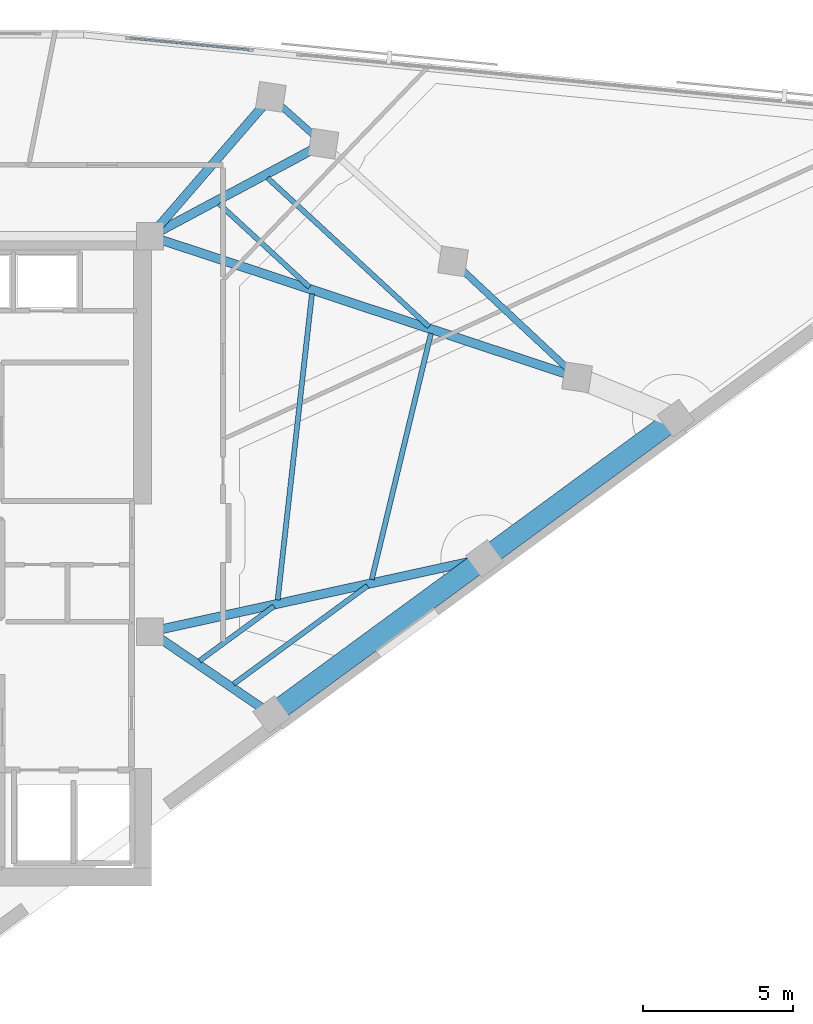
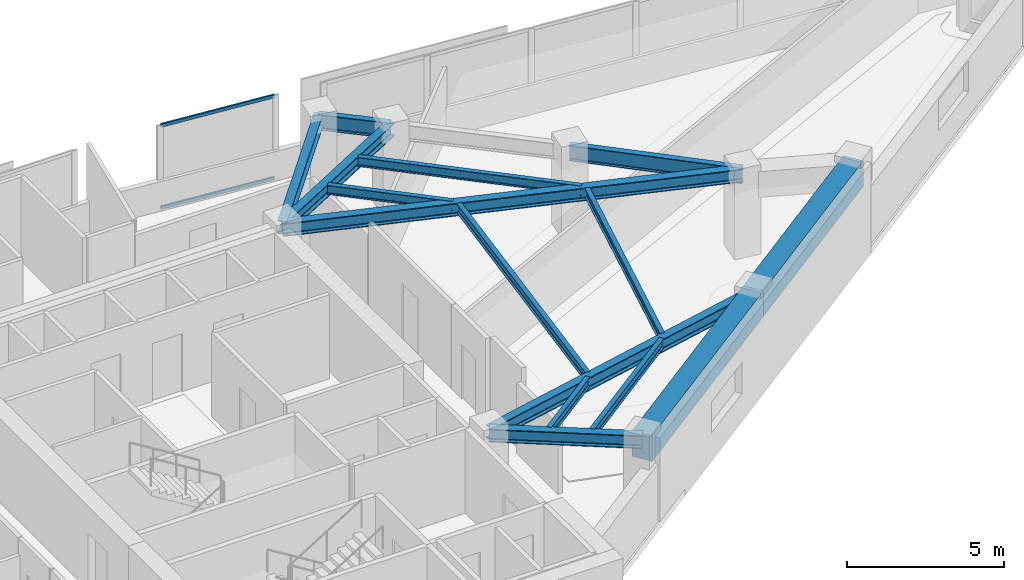
# One storey, part 4 of 13: 15 beams, 2 members, 1 element without a shape of its own.
"""IFC4 building model written with IfcOpenShell, lengths in metres."""

from ifc_helpers import new_model, si_unit, direction, frame, origin, origin_2d, place, context, subcontext, project, spatial, rectangle, hollow_rectangle, i_section, extrude, material, material_profile, profile_set, type_object, element, aggregate, save


model = new_model("IFC4")

# Units and contexts
model_context = context("Model", 3, precision=1e-05, world=origin(), true_north=direction((0.0, 1.0)))
body_context = subcontext(model_context, "Body", "Model", "MODEL_VIEW")
ifc_project = project(units=[si_unit("LENGTHUNIT", "METRE"), si_unit("AREAUNIT", "SQUARE_METRE"), si_unit("VOLUMEUNIT", "CUBIC_METRE"), si_unit("PLANEANGLEUNIT", "RADIAN"), si_unit("MASSUNIT", "GRAM", prefix="KILO")], contexts=[model_context])

# Site, building, storey
site_placement = place(None, origin())
site = spatial("IfcSite", under=ifc_project, at=site_placement, CompositionType="ELEMENT")
building_placement = place(site_placement, origin())
building = spatial("IfcBuilding", under=site, at=building_placement, Name="Narakoshi Arena Tower", CompositionType="ELEMENT")
storey_placement = place(building_placement, frame((0.0, 0.0, 239.6201171875)))
storey = spatial("IfcBuildingStorey", under=building, at=storey_placement, Name="L65", CompositionType="ELEMENT", Elevation=239.6201171875)

# Beams
ifc_material_1 = material(Name="Concrete C60/75", Category="concrete")
ifc_material_profile_1 = material_profile(ifc_material_1, rectangle(XDim=0.699951171875, YDim=1.0, at=origin_2d()), Name="RCB700x1000")
ifc_profile_set_1 = profile_set([ifc_material_profile_1], Name="Concrete C60/75")
beam_type_1 = type_object("IfcBeamType", Name="BM-CPL-1000", PredefinedType="BEAM", material=ifc_profile_set_1)
beam_1_placement = place(storey_placement, frame((89.58642578125, 40.594482421875, 2.759765625), z_axis=(0.806446564509, 0.591306974922, 0.0), x_axis=(-0.591306974922, 0.806446564509, 0.0)))
element("IfcBeam", 1, at=beam_1_placement, inside=storey, type_object=beam_type_1, Name="L65 Perimeter Edge Girder 01", PredefinedType="BEAM", context=body_context, shape_type="SweptSolid", body=[
    extrude(rectangle(XDim=0.699951171875, YDim=1.0, at=origin_2d()), origin(), (0.0, 0.0, 1.0), 8.775390625),
])
beam_2_placement = place(storey_placement, frame((96.663330078125, 45.783447265625, 2.759765625), z_axis=(0.806437425649, 0.59131943864, 0.0), x_axis=(-0.59131943864, 0.806437425649, 0.0)))
element("IfcBeam", 2, at=beam_2_placement, inside=storey, type_object=beam_type_1, Name="L65 Perimeter Edge Girder 02", PredefinedType="BEAM", context=body_context, shape_type="SweptSolid", body=[
    extrude(rectangle(XDim=0.699951171875, YDim=1.0, at=origin_2d()), origin(), (0.0, 0.0, 1.0), 7.89794921875),
])
ifc_material_2 = material(Name="Structural steel S355J2", Category="steel")
ifc_material_profile_2 = material_profile(ifc_material_2, i_section(OverallWidth=0.219970703125, OverallDepth=0.60009765625, WebThickness=0.011962890625, FlangeThickness=0.01904296875, FilletRadius=0.02392578125, at=origin_2d()), Name="IPE600")
ifc_profile_set_2 = profile_set([ifc_material_profile_2], Name="Structural steel S355J2")
beam_type_2 = type_object("IfcBeamType", Name="BM-EDGE-600", PredefinedType="BEAM", material=ifc_profile_set_2)
beam_3_placement = place(storey_placement, frame((99.74267578125, 51.80712890625, 2.9599609375), z_axis=(-0.730193480459, 0.683240427006, 0.0), x_axis=(-0.683240427006, -0.730193480459, 0.0)))
element("IfcBeam", 3, at=beam_3_placement, inside=storey, type_object=beam_type_2, Name="L65 Perimeter Edge Girder 04", PredefinedType="BEAM", context=body_context, shape_type="SweptSolid", body=[
    extrude(i_section(OverallWidth=0.219970703125, OverallDepth=0.60009765625, WebThickness=0.011962890625, FlangeThickness=0.01904296875, FilletRadius=0.02392578125, at=origin_2d()), origin(), (0.0, 0.0, 1.0), 5.646728515625),
])
beam_4_placement = place(storey_placement, frame((91.311279296875, 59.576416015625, 2.9599609375), z_axis=(-0.746770864852, 0.665081405099, 0.0), x_axis=(-0.665081405099, -0.746770864852, 0.0)))
element("IfcBeam", 4, at=beam_4_placement, inside=storey, type_object=beam_type_2, Name="L65 Perimeter Edge Girder 06", PredefinedType="BEAM", context=body_context, shape_type="SweptSolid", body=[
    extrude(i_section(OverallWidth=0.219970703125, OverallDepth=0.60009765625, WebThickness=0.011962890625, FlangeThickness=0.01904296875, FilletRadius=0.02392578125, at=origin_2d()), origin(), (0.0, 0.0, 1.0), 2.343017578125),
])
ifc_material_profile_3 = material_profile(ifc_material_2, i_section(OverallWidth=0.300048828125, OverallDepth=0.5, WebThickness=0.014404296875, FlangeThickness=0.028076171875, FilletRadius=0.027099609375, at=origin_2d()), Name="HE500B")
ifc_profile_set_3 = profile_set([ifc_material_profile_3], Name="Structural steel S355J2")
beam_type_3 = type_object("IfcBeamType", Name="BM-PRI-500", PredefinedType="BEAM", material=ifc_profile_set_3)
beam_5_placement = place(storey_placement, frame((85.550048828125, 43.35009765625, 3.009765625), z_axis=(0.825890057955, -0.563831191201, 0.0), x_axis=(0.563831191201, 0.825890057955, 0.0)))
element("IfcBeam", 5, at=beam_5_placement, inside=storey, type_object=beam_type_3, Name="L65 Radial Primary Floor Girder 01", PredefinedType="BEAM", context=body_context, shape_type="SweptSolid", body=[
    extrude(i_section(OverallWidth=0.300048828125, OverallDepth=0.5, WebThickness=0.014404296875, FlangeThickness=0.028076171875, FilletRadius=0.027099609375, at=origin_2d()), origin(), (0.0, 0.0, 1.0), 4.88720703125),
])
beam_6_placement = place(storey_placement, frame((85.550048828125, 43.35009765625, 3.009765625), z_axis=(0.976857438099, 0.213891434216, 0.0), x_axis=(-0.213891434216, 0.976857438099, 0.0)))
element("IfcBeam", 6, at=beam_6_placement, inside=storey, type_object=beam_type_3, Name="L65 Radial Primary Floor Girder 02", PredefinedType="BEAM", context=body_context, shape_type="SweptSolid", body=[
    extrude(i_section(OverallWidth=0.300048828125, OverallDepth=0.5, WebThickness=0.014404296875, FlangeThickness=0.028076171875, FilletRadius=0.027099609375, at=origin_2d()), origin(), (0.0, 0.0, 1.0), 11.37646484375),
])
beam_7_placement = place(storey_placement, frame((85.550048828125, 56.5, 3.009765625), z_axis=(0.949443255158, -0.31393869662, 0.0), x_axis=(0.31393869662, 0.949443255158, 0.0)))
element("IfcBeam", 7, at=beam_7_placement, inside=storey, type_object=beam_type_3, Name="L65 Radial Primary Floor Girder 04", PredefinedType="BEAM", context=body_context, shape_type="SweptSolid", body=[
    extrude(i_section(OverallWidth=0.300048828125, OverallDepth=0.5, WebThickness=0.014404296875, FlangeThickness=0.028076171875, FilletRadius=0.027099609375, at=origin_2d()), origin(), (0.0, 0.0, 1.0), 14.948486328125),
])
beam_8_placement = place(storey_placement, frame((85.550048828125, 56.5, 3.009765625), z_axis=(0.882113796729, 0.471036357004, 0.0), x_axis=(-0.471036357004, 0.882113796729, 0.0)))
element("IfcBeam", 8, at=beam_8_placement, inside=storey, type_object=beam_type_3, Name="L65 Radial Primary Floor Girder 06", PredefinedType="BEAM", context=body_context, shape_type="SweptSolid", body=[
    extrude(i_section(OverallWidth=0.300048828125, OverallDepth=0.5, WebThickness=0.014404296875, FlangeThickness=0.028076171875, FilletRadius=0.027099609375, at=origin_2d()), origin(), (0.0, 0.0, 1.0), 6.53125),
])
beam_9_placement = place(storey_placement, frame((85.550048828125, 56.5, 3.009765625), z_axis=(0.654434553487, 0.756118651537, 0.0), x_axis=(-0.756118651537, 0.654434553487, 0.0)))
element("IfcBeam", 9, at=beam_9_placement, inside=storey, type_object=beam_type_3, Name="L65 Radial Primary Floor Girder 07", PredefinedType="BEAM", context=body_context, shape_type="SweptSolid", body=[
    extrude(i_section(OverallWidth=0.300048828125, OverallDepth=0.5, WebThickness=0.014404296875, FlangeThickness=0.028076171875, FilletRadius=0.027099609375, at=origin_2d()), origin(), (0.0, 0.0, 1.0), 6.129638671875),
])
ifc_material_profile_4 = material_profile(ifc_material_2, i_section(OverallWidth=0.169921875, OverallDepth=0.360107421875, WebThickness=0.008056640625, FlangeThickness=0.0126953125, FilletRadius=0.01806640625, at=origin_2d()), Name="IPE360")
ifc_profile_set_4 = profile_set([ifc_material_profile_4], Name="Structural steel S355J2")
beam_type_4 = type_object("IfcBeamType", Name="BM-SEC-360", PredefinedType="JOIST", material=ifc_profile_set_4)
beam_10_placement = place(storey_placement, frame((87.192626953125, 42.3828125, 3.079833984375), z_axis=(0.806491095196, 0.59124623751, 0.0), x_axis=(-0.59124623751, 0.806491095196, 0.0)))
element("IfcBeam", 10, at=beam_10_placement, inside=storey, type_object=beam_type_4, Name="L65 Composite Secondary Floor Joist 01", PredefinedType="JOIST", context=body_context, shape_type="SweptSolid", body=[
    extrude(i_section(OverallWidth=0.169921875, OverallDepth=0.360107421875, WebThickness=0.008056640625, FlangeThickness=0.0126953125, FilletRadius=0.01806640625, at=origin_2d()), origin(), (0.0, 0.0, 1.0), 3.064697265625),
])
beam_11_placement = place(storey_placement, frame((88.322998046875, 41.611083984375, 3.079833984375), z_axis=(0.80643170275, 0.591327243411, 0.0), x_axis=(-0.591327243411, 0.80643170275, 0.0)))
element("IfcBeam", 11, at=beam_11_placement, inside=storey, type_object=beam_type_4, Name="L65 Composite Secondary Floor Joist 02", PredefinedType="JOIST", context=body_context, shape_type="SweptSolid", body=[
    extrude(i_section(OverallWidth=0.169921875, OverallDepth=0.360107421875, WebThickness=0.008056640625, FlangeThickness=0.0126953125, FilletRadius=0.01806640625, at=origin_2d()), origin(), (0.0, 0.0, 1.0), 5.521728515625),
])
beam_12_placement = place(storey_placement, frame((89.7880859375, 44.408935546875, 3.079833984375), z_axis=(0.111371154474, 0.99377888182, 0.0), x_axis=(-0.99377888182, 0.111371154474, 0.0)))
element("IfcBeam", 12, at=beam_12_placement, inside=storey, type_object=beam_type_4, Name="L65 Composite Secondary Floor Joist 03", PredefinedType="JOIST", context=body_context, shape_type="SweptSolid", body=[
    extrude(i_section(OverallWidth=0.169921875, OverallDepth=0.360107421875, WebThickness=0.008056640625, FlangeThickness=0.0126953125, FilletRadius=0.01806640625, at=origin_2d()), origin(), (0.0, 0.0, 1.0), 10.2373046875),
])
beam_13_placement = place(storey_placement, frame((92.91650390625, 45.08740234375, 3.079833984375), z_axis=(0.233913716511, 0.972257359565, 0.0), x_axis=(-0.972257359565, 0.233913716511, 0.0)))
element("IfcBeam", 13, at=beam_13_placement, inside=storey, type_object=beam_type_4, Name="L65 Composite Secondary Floor Joist 04", PredefinedType="JOIST", context=body_context, shape_type="SweptSolid", body=[
    extrude(i_section(OverallWidth=0.169921875, OverallDepth=0.360107421875, WebThickness=0.008056640625, FlangeThickness=0.0126953125, FilletRadius=0.01806640625, at=origin_2d()), origin(), (0.0, 0.0, 1.0), 8.417724609375),
])
beam_14_placement = place(storey_placement, frame((90.843994140625, 54.80810546875, 3.079833984375), z_axis=(-0.735400942235, 0.677632241086, 0.0), x_axis=(-0.677632241086, -0.735400942235, 0.0)))
element("IfcBeam", 14, at=beam_14_placement, inside=storey, type_object=beam_type_4, Name="L65 Composite Secondary Floor Joist 05", PredefinedType="JOIST", context=body_context, shape_type="SweptSolid", body=[
    extrude(i_section(OverallWidth=0.169921875, OverallDepth=0.360107421875, WebThickness=0.008056640625, FlangeThickness=0.0126953125, FilletRadius=0.01806640625, at=origin_2d()), origin(), (0.0, 0.0, 1.0), 4.086669921875),
])
beam_15_placement = place(storey_placement, frame((94.81787109375, 53.494140625, 3.079833984375), z_axis=(-0.735390648624, 0.677643412066, 0.0), x_axis=(-0.677643412066, -0.735390648624, 0.0)))
element("IfcBeam", 15, at=beam_15_placement, inside=storey, type_object=beam_type_4, Name="L65 Composite Secondary Floor Joist 06", PredefinedType="JOIST", context=body_context, shape_type="SweptSolid", body=[
    extrude(i_section(OverallWidth=0.169921875, OverallDepth=0.360107421875, WebThickness=0.008056640625, FlangeThickness=0.0126953125, FilletRadius=0.01806640625, at=origin_2d()), origin(), (0.0, 0.0, 1.0), 7.297119140625),
])

# Curtain wall, members
ifc_material_3 = material(Name="Anodised bronze aluminium 6063-T6", Category="aluminium")
curtain_wall_type = type_object("IfcCurtainWallType", Name="CW-HYP-HIGH", PredefinedType="NOTDEFINED", material=ifc_material_3)
curtain_wall_placement = place(storey_placement, origin())
curtain_wall = element("IfcCurtainWall", 16, at=curtain_wall_placement, inside=storey, type_object=curtain_wall_type, Name="L65 Folded Hypotenuse Curtain Wall 1-2", PredefinedType="NOTDEFINED")
ifc_material_profile_5 = material_profile(ifc_material_3, hollow_rectangle(XDim=0.06494140625, YDim=0.1298828125, WallThickness=0.00390625, OuterFilletRadius=0.0048828125, at=origin_2d()), Name="TRN130x65x4")
ifc_profile_set_5 = profile_set([ifc_material_profile_5], Name="Anodised bronze aluminium 6063-T6")
member_type = type_object("IfcMemberType", Name="MEM-TRN-130", PredefinedType="USERDEFINED", material=ifc_profile_set_5)
member_1_placement = place(storey_placement, frame((88.830810546875, 62.69775390625, 0.032470703125), z_axis=(-0.995301216231, 0.096827108647, 0.0), x_axis=(-0.096827108647, -0.995301216231, 0.0)))
member_1 = element("IfcMember", 17, at=member_1_placement, type_object=member_type, Name="CW-03 transom 1.1", ObjectType="TRANSOM", PredefinedType="USERDEFINED", context=body_context, shape_type="SweptSolid", body=[
    extrude(hollow_rectangle(XDim=0.06494140625, YDim=0.1298828125, WallThickness=0.00390625, OuterFilletRadius=0.0048828125, at=origin_2d()), origin(), (0.0, 0.0, 1.0), 3.9560546875),
])
member_2_placement = place(storey_placement, frame((88.830810546875, 62.69775390625, 3.227294921875), z_axis=(-0.995301216231, 0.096827108647, 0.0), x_axis=(-0.096827108647, -0.995301216231, 0.0)))
member_2 = element("IfcMember", 18, at=member_2_placement, type_object=member_type, Name="CW-03 transom 1.2", ObjectType="TRANSOM", PredefinedType="USERDEFINED", context=body_context, shape_type="SweptSolid", body=[
    extrude(hollow_rectangle(XDim=0.06494140625, YDim=0.1298828125, WallThickness=0.00390625, OuterFilletRadius=0.0048828125, at=origin_2d()), origin(), (0.0, 0.0, 1.0), 3.9560546875),
])
aggregate(curtain_wall, [member_1, member_2])

save(model, "model.ifc")
